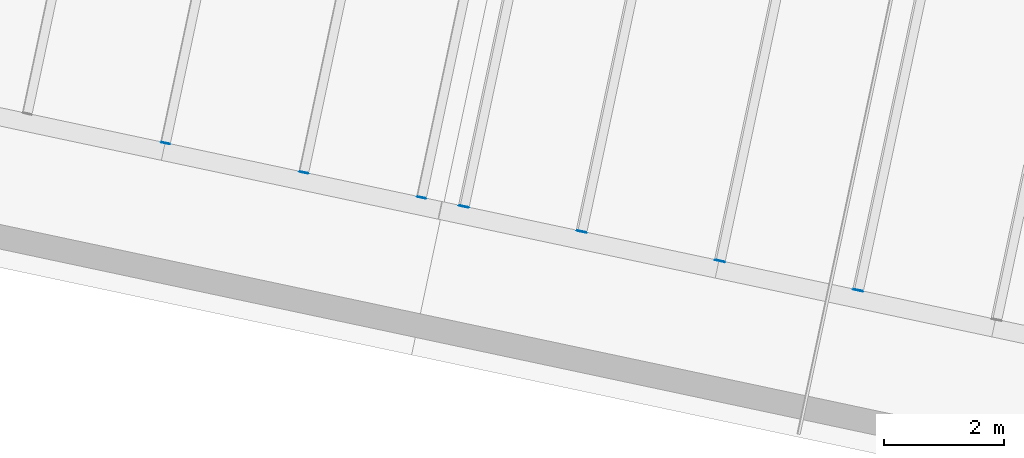
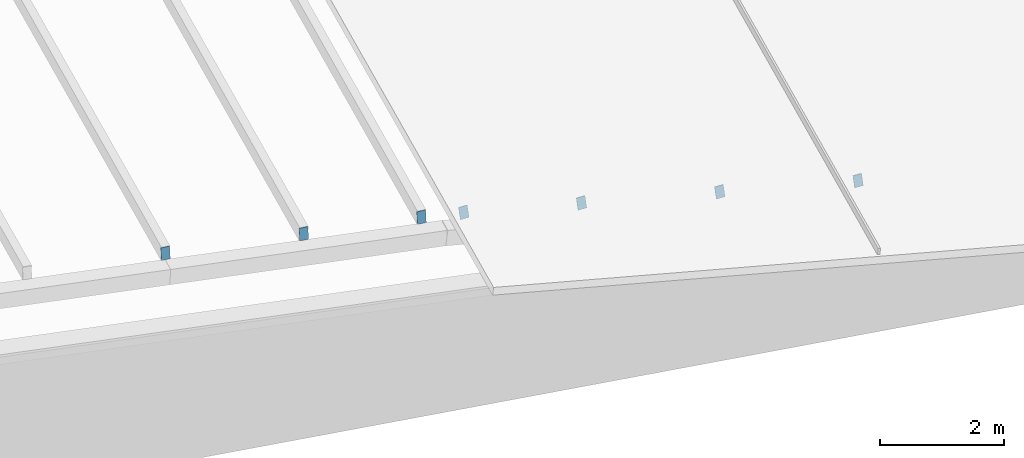
# One storey, part 146 of 196: 7 discrete accessories.
"""IFC4 building model written with IfcOpenShell, lengths in metres."""

from ifc_helpers import new_model, si_unit, direction, frame, origin, origin_2d, place, context, subcontext, project, spatial, rectangle, extrude, material, layer, layer_set, type_object, element, save


model = new_model("IFC4")

# Units and contexts
model_context = context("Model", 3, precision=1e-05, world=origin(), true_north=direction((0.0, 1.0)))
body_context = subcontext(model_context, "Body", "Model", "MODEL_VIEW")
ifc_project = project(units=[si_unit("LENGTHUNIT", "METRE"), si_unit("AREAUNIT", "SQUARE_METRE"), si_unit("VOLUMEUNIT", "CUBIC_METRE"), si_unit("PLANEANGLEUNIT", "RADIAN"), si_unit("MASSUNIT", "GRAM", prefix="KILO")], contexts=[model_context])

# Site, building, storey
site_placement = place(None, origin())
site = spatial("IfcSite", under=ifc_project, at=site_placement, CompositionType="ELEMENT")
building_placement = place(site_placement, origin())
building = spatial("IfcBuilding", under=site, at=building_placement, Name="Okhra Congress Centre", CompositionType="ELEMENT")
storey_placement = place(building_placement, frame((0.0, 0.0, 12.0)))
storey = spatial("IfcBuildingStorey", under=building, at=storey_placement, Name="L02", CompositionType="ELEMENT", Elevation=12.0)

# Discrete accessories
ifc_material = material(Name="Steel S355J2", Category="steel")
ifc_layer = layer(ifc_material, 0.011962890625)
ifc_layer_set = layer_set([ifc_layer], Name="Hollow section end cap 12 mm S355")
discrete_accessory_type = type_object("IfcDiscreteAccessoryType", Name="Hollow section end cap 12 mm S355", PredefinedType="BRACKET", material=ifc_layer_set)
for number, where, z_axis, x_axis, name in (
    (1, (232.176025390625, 88.9775390625, 2.479248046875), (-0.203954254112, -0.978980419738, 0.0), (0.977638761096, -0.203674741895, 0.052335956243), "Hollow section end cap"),
    (2, (234.474609375, 88.489013671875, 2.356201171875), (-0.203954254112, -0.978980419738, 0.0), (0.977638761096, -0.203674741895, 0.052335956243), "Hollow section end cap"),
    (3, (236.430908203125, 88.0732421875, 2.251220703125), (-0.203954254112, -0.978980419738, 0.0), (0.977638761096, -0.203674741895, 0.052335956243), "Hollow section end cap"),
    (4, (237.13427734375, 87.923828125, 2.188232421875), (-0.203954254112, -0.978980419738, 0.0), (0.971683248143, -0.20243401003, 0.121869343405), "Hollow section end cap"),
    (5, (239.090576171875, 87.5078125, 1.94287109375), (-0.203954254112, -0.978980419738, 0.0), (0.971683248143, -0.20243401003, 0.121869343405), "Hollow section end cap"),
    (6, (241.389404296875, 87.019287109375, 1.654296875), (-0.223376156329, -0.974732318528, 0.0), (0.967466811636, -0.221711144333, 0.121869343405), "Hollow section end cap"),
    (7, (243.68798828125, 86.53076171875, 1.36572265625), (-0.203954254112, -0.978980419738, 0.0), (0.971683248143, -0.20243401003, 0.121869343405), "Hollow section end cap"),
):
    element("IfcDiscreteAccessory", number, at=place(storey_placement, frame(where, z_axis=z_axis, x_axis=x_axis)), inside=storey, type_object=discrete_accessory_type, Name=name, PredefinedType="BRACKET", context=body_context, shape_type="SweptSolid", body=[
        extrude(rectangle(XDim=0.14990234375, YDim=0.25, at=origin_2d()), origin(), (0.0, 0.0, 1.0), 0.011962890625),
    ])

save(model, "model.ifc")
